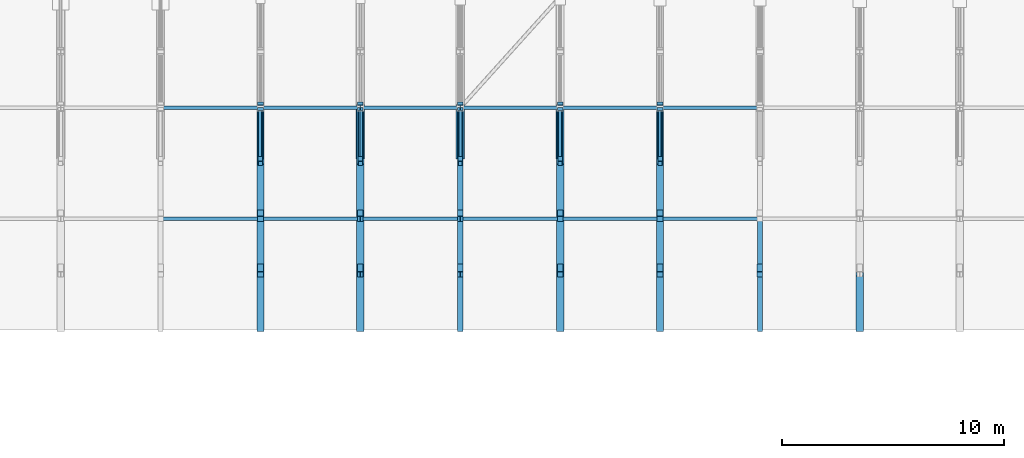
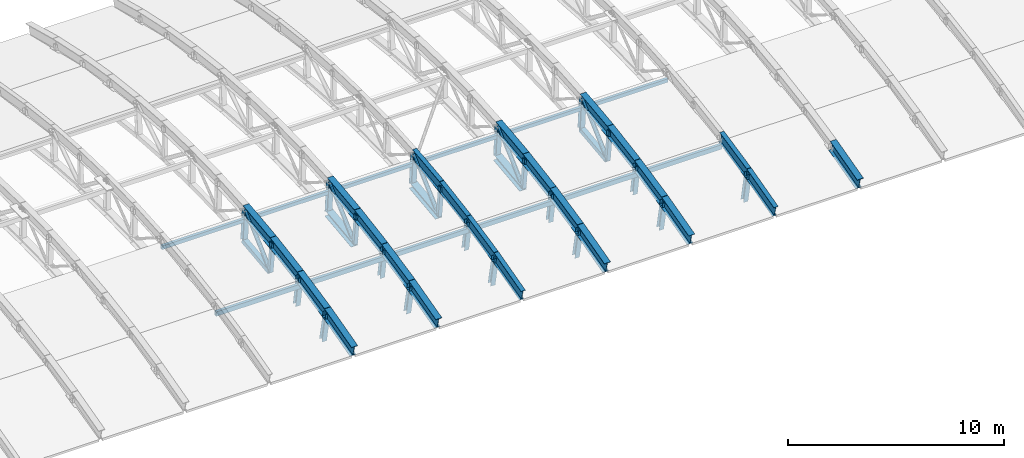
# One storey, part 16 of 53: 43 members, 23 beams.
"""IFC4 building model written with IfcOpenShell, lengths in metres."""

from ifc_helpers import new_model, si_unit, direction, frame, origin, origin_2d, place, context, subcontext, project, spatial, hollow_rectangle, hollow_circle, i_section, extrude, material, material_profile, profile_set, type_object, element, save


model = new_model("IFC4")

# Units and contexts
model_context = context("Model", 3, precision=1e-05, world=origin(), true_north=direction((0.0, 1.0)))
body_context = subcontext(model_context, "Body", "Model", "MODEL_VIEW")
ifc_project = project(units=[si_unit("LENGTHUNIT", "METRE"), si_unit("AREAUNIT", "SQUARE_METRE"), si_unit("VOLUMEUNIT", "CUBIC_METRE"), si_unit("PLANEANGLEUNIT", "RADIAN"), si_unit("MASSUNIT", "GRAM", prefix="KILO")], contexts=[model_context])

# Site, building, storey
site_placement = place(None, origin())
site = spatial("IfcSite", under=ifc_project, at=site_placement, CompositionType="ELEMENT")
building_placement = place(site_placement, origin())
building = spatial("IfcBuilding", under=site, at=building_placement, Name="Cazmaro Siding Exhibition Halls", CompositionType="ELEMENT")
storey_placement = place(building_placement, frame((0.0, 0.0, 21.0)))
storey = spatial("IfcBuildingStorey", under=building, at=storey_placement, Name="L04", CompositionType="ELEMENT", Elevation=21.0)

# Beams
ifc_material_1 = material(Name="Steel ASTM A992 Grade 50", Category="steel")
ifc_material_profile_1 = material_profile(ifc_material_1, i_section(OverallWidth=0.327880859375, OverallDepth=0.626953125, WebThickness=0.01708984375, FlangeThickness=0.028076171875, at=origin_2d()), Name="W24X146")
ifc_profile_set_1 = profile_set([ifc_material_profile_1], Name="Steel ASTM A992 Grade 50")
beam_type_1 = type_object("IfcBeamType", Name="AR-01", PredefinedType="USERDEFINED", material=ifc_profile_set_1)
beam_1_placement = place(storey_placement, frame((99.0, 79.0, 0.35498046875), z_axis=(0.0, 0.966391398669, 0.257075211911), x_axis=(-1.0, 0.0, 0.0)))
element("IfcBeam", 1, at=beam_1_placement, inside=storey, type_object=beam_type_1, Name="Space frame barrel vault arched rib AR-01 BM-0829", ObjectType="ARCHED RIB", PredefinedType="USERDEFINED", context=body_context, shape_type="SweptSolid", body=[
    extrude(i_section(OverallWidth=0.327880859375, OverallDepth=0.626953125, WebThickness=0.01708984375, FlangeThickness=0.028076171875, at=origin_2d()), origin(), (0.0, 0.0, 1.0), 2.5869140625),
])
beam_2_placement = place(storey_placement, frame((99.0, 81.5, 1.02001953125), z_axis=(0.0, 0.977710100146, 0.209959424826), x_axis=(-1.0, 0.0, 0.0)))
element("IfcBeam", 2, at=beam_2_placement, inside=storey, type_object=beam_type_1, Name="Space frame barrel vault arched rib AR-01 BM-0830", ObjectType="ARCHED RIB", PredefinedType="USERDEFINED", context=body_context, shape_type="SweptSolid", body=[
    extrude(i_section(OverallWidth=0.327880859375, OverallDepth=0.626953125, WebThickness=0.01708984375, FlangeThickness=0.028076171875, at=origin_2d()), origin(), (0.0, 0.0, 1.0), 2.556884765625),
])
beam_3_placement = place(storey_placement, frame((99.0, 84.0, 1.556884765625), z_axis=(0.0, 0.98649787474, 0.163774061236), x_axis=(-1.0, 0.0, 0.0)))
element("IfcBeam", 3, at=beam_3_placement, inside=storey, type_object=beam_type_1, Name="Space frame barrel vault arched rib AR-01 BM-0831", ObjectType="ARCHED RIB", PredefinedType="USERDEFINED", context=body_context, shape_type="SweptSolid", body=[
    extrude(i_section(OverallWidth=0.327880859375, OverallDepth=0.626953125, WebThickness=0.01708984375, FlangeThickness=0.028076171875, at=origin_2d()), origin(), (0.0, 0.0, 1.0), 2.5341796875),
])
beam_4_placement = place(storey_placement, frame((99.0, 86.5, 1.971923828125), z_axis=(0.0, 0.993147293786, 0.116869383693), x_axis=(-1.0, 0.0, 0.0)))
element("IfcBeam", 4, at=beam_4_placement, inside=storey, type_object=beam_type_1, Name="Space frame barrel vault arched rib AR-01 BM-0832", ObjectType="ARCHED RIB", PredefinedType="USERDEFINED", context=body_context, shape_type="SweptSolid", body=[
    extrude(i_section(OverallWidth=0.327880859375, OverallDepth=0.626953125, WebThickness=0.01708984375, FlangeThickness=0.028076171875, at=origin_2d()), origin(), (0.0, 0.0, 1.0), 2.517333984375),
])
beam_5_placement = place(storey_placement, frame((112.5, 79.0, 0.35498046875), z_axis=(0.0, 0.966391398669, 0.257075211911), x_axis=(-1.0, 0.0, 0.0)))
element("IfcBeam", 5, at=beam_5_placement, inside=storey, type_object=beam_type_1, Name="Space frame barrel vault arched rib AR-01 BM-0901", ObjectType="ARCHED RIB", PredefinedType="USERDEFINED", context=body_context, shape_type="SweptSolid", body=[
    extrude(i_section(OverallWidth=0.327880859375, OverallDepth=0.626953125, WebThickness=0.01708984375, FlangeThickness=0.028076171875, at=origin_2d()), origin(), (0.0, 0.0, 1.0), 2.5869140625),
])
beam_6_placement = place(storey_placement, frame((112.5, 81.5, 1.02001953125), z_axis=(0.0, 0.977710100146, 0.209959424826), x_axis=(-1.0, 0.0, 0.0)))
element("IfcBeam", 6, at=beam_6_placement, inside=storey, type_object=beam_type_1, Name="Space frame barrel vault arched rib AR-01 BM-0902", ObjectType="ARCHED RIB", PredefinedType="USERDEFINED", context=body_context, shape_type="SweptSolid", body=[
    extrude(i_section(OverallWidth=0.327880859375, OverallDepth=0.626953125, WebThickness=0.01708984375, FlangeThickness=0.028076171875, at=origin_2d()), origin(), (0.0, 0.0, 1.0), 2.556884765625),
])
beam_7_placement = place(storey_placement, frame((112.5, 84.0, 1.556884765625), z_axis=(0.0, 0.98649787474, 0.163774061236), x_axis=(-1.0, 0.0, 0.0)))
element("IfcBeam", 7, at=beam_7_placement, inside=storey, type_object=beam_type_1, Name="Space frame barrel vault arched rib AR-01 BM-0903", ObjectType="ARCHED RIB", PredefinedType="USERDEFINED", context=body_context, shape_type="SweptSolid", body=[
    extrude(i_section(OverallWidth=0.327880859375, OverallDepth=0.626953125, WebThickness=0.01708984375, FlangeThickness=0.028076171875, at=origin_2d()), origin(), (0.0, 0.0, 1.0), 2.5341796875),
])
beam_8_placement = place(storey_placement, frame((112.5, 86.5, 1.971923828125), z_axis=(0.0, 0.993147293786, 0.116869383693), x_axis=(-1.0, 0.0, 0.0)))
element("IfcBeam", 8, at=beam_8_placement, inside=storey, type_object=beam_type_1, Name="Space frame barrel vault arched rib AR-01 BM-0904", ObjectType="ARCHED RIB", PredefinedType="USERDEFINED", context=body_context, shape_type="SweptSolid", body=[
    extrude(i_section(OverallWidth=0.327880859375, OverallDepth=0.626953125, WebThickness=0.01708984375, FlangeThickness=0.028076171875, at=origin_2d()), origin(), (0.0, 0.0, 1.0), 2.517333984375),
])
beam_9_placement = place(storey_placement, frame((126.0, 79.0, 0.35498046875), z_axis=(0.0, 0.966391398669, 0.257075211911), x_axis=(-1.0, 0.0, 0.0)))
element("IfcBeam", 9, at=beam_9_placement, inside=storey, type_object=beam_type_1, Name="Space frame barrel vault arched rib AR-01 BM-0973", ObjectType="ARCHED RIB", PredefinedType="USERDEFINED", context=body_context, shape_type="SweptSolid", body=[
    extrude(i_section(OverallWidth=0.327880859375, OverallDepth=0.626953125, WebThickness=0.01708984375, FlangeThickness=0.028076171875, at=origin_2d()), origin(), (0.0, 0.0, 1.0), 2.5869140625),
])
ifc_material_2 = material(Name="Steel ASTM A992 Grade 50", Category="steel")
ifc_material_profile_2 = material_profile(ifc_material_2, i_section(OverallWidth=0.324951171875, OverallDepth=0.612060546875, WebThickness=0.012939453125, FlangeThickness=0.01904296875, at=origin_2d()), Name="W24X104")
ifc_profile_set_2 = profile_set([ifc_material_profile_2], Name="Steel ASTM A992 Grade 50")
beam_type_2 = type_object("IfcBeamType", Name="AR-02", PredefinedType="USERDEFINED", material=ifc_profile_set_2)
beam_10_placement = place(storey_placement, frame((103.5, 79.0, 0.35498046875), z_axis=(0.0, 0.966391398669, 0.257075211911), x_axis=(-1.0, 0.0, 0.0)))
element("IfcBeam", 10, at=beam_10_placement, inside=storey, type_object=beam_type_2, Name="Space frame barrel vault arched rib AR-02 BM-0853", ObjectType="ARCHED RIB", PredefinedType="USERDEFINED", context=body_context, shape_type="SweptSolid", body=[
    extrude(i_section(OverallWidth=0.324951171875, OverallDepth=0.612060546875, WebThickness=0.012939453125, FlangeThickness=0.01904296875, at=origin_2d()), origin(), (0.0, 0.0, 1.0), 2.5869140625),
])
beam_11_placement = place(storey_placement, frame((103.5, 81.5, 1.02001953125), z_axis=(0.0, 0.977710100146, 0.209959424826), x_axis=(-1.0, 0.0, 0.0)))
element("IfcBeam", 11, at=beam_11_placement, inside=storey, type_object=beam_type_2, Name="Space frame barrel vault arched rib AR-02 BM-0854", ObjectType="ARCHED RIB", PredefinedType="USERDEFINED", context=body_context, shape_type="SweptSolid", body=[
    extrude(i_section(OverallWidth=0.324951171875, OverallDepth=0.612060546875, WebThickness=0.012939453125, FlangeThickness=0.01904296875, at=origin_2d()), origin(), (0.0, 0.0, 1.0), 2.556884765625),
])
beam_12_placement = place(storey_placement, frame((103.5, 84.0, 1.556884765625), z_axis=(0.0, 0.98649787474, 0.163774061236), x_axis=(-1.0, 0.0, 0.0)))
element("IfcBeam", 12, at=beam_12_placement, inside=storey, type_object=beam_type_2, Name="Space frame barrel vault arched rib AR-02 BM-0855", ObjectType="ARCHED RIB", PredefinedType="USERDEFINED", context=body_context, shape_type="SweptSolid", body=[
    extrude(i_section(OverallWidth=0.324951171875, OverallDepth=0.612060546875, WebThickness=0.012939453125, FlangeThickness=0.01904296875, at=origin_2d()), origin(), (0.0, 0.0, 1.0), 2.5341796875),
])
beam_13_placement = place(storey_placement, frame((103.5, 86.5, 1.971923828125), z_axis=(0.0, 0.993147293786, 0.116869383693), x_axis=(-1.0, 0.0, 0.0)))
element("IfcBeam", 13, at=beam_13_placement, inside=storey, type_object=beam_type_2, Name="Space frame barrel vault arched rib AR-02 BM-0856", ObjectType="ARCHED RIB", PredefinedType="USERDEFINED", context=body_context, shape_type="SweptSolid", body=[
    extrude(i_section(OverallWidth=0.324951171875, OverallDepth=0.612060546875, WebThickness=0.012939453125, FlangeThickness=0.01904296875, at=origin_2d()), origin(), (0.0, 0.0, 1.0), 2.517333984375),
])
beam_14_placement = place(storey_placement, frame((117.0, 79.0, 0.35498046875), z_axis=(0.0, 0.966391398669, 0.257075211911), x_axis=(-1.0, 0.0, 0.0)))
element("IfcBeam", 14, at=beam_14_placement, inside=storey, type_object=beam_type_2, Name="Space frame barrel vault arched rib AR-02 BM-0925", ObjectType="ARCHED RIB", PredefinedType="USERDEFINED", context=body_context, shape_type="SweptSolid", body=[
    extrude(i_section(OverallWidth=0.324951171875, OverallDepth=0.612060546875, WebThickness=0.012939453125, FlangeThickness=0.01904296875, at=origin_2d()), origin(), (0.0, 0.0, 1.0), 2.5869140625),
])
beam_15_placement = place(storey_placement, frame((117.0, 81.5, 1.02001953125), z_axis=(0.0, 0.977710100146, 0.209959424826), x_axis=(-1.0, 0.0, 0.0)))
element("IfcBeam", 15, at=beam_15_placement, inside=storey, type_object=beam_type_2, Name="Space frame barrel vault arched rib AR-02 BM-0926", ObjectType="ARCHED RIB", PredefinedType="USERDEFINED", context=body_context, shape_type="SweptSolid", body=[
    extrude(i_section(OverallWidth=0.324951171875, OverallDepth=0.612060546875, WebThickness=0.012939453125, FlangeThickness=0.01904296875, at=origin_2d()), origin(), (0.0, 0.0, 1.0), 2.556884765625),
])
beam_16_placement = place(storey_placement, frame((117.0, 84.0, 1.556884765625), z_axis=(0.0, 0.98649787474, 0.163774061236), x_axis=(-1.0, 0.0, 0.0)))
element("IfcBeam", 16, at=beam_16_placement, inside=storey, type_object=beam_type_2, Name="Space frame barrel vault arched rib AR-02 BM-0927", ObjectType="ARCHED RIB", PredefinedType="USERDEFINED", context=body_context, shape_type="SweptSolid", body=[
    extrude(i_section(OverallWidth=0.324951171875, OverallDepth=0.612060546875, WebThickness=0.012939453125, FlangeThickness=0.01904296875, at=origin_2d()), origin(), (0.0, 0.0, 1.0), 2.5341796875),
])
beam_17_placement = place(storey_placement, frame((117.0, 86.5, 1.971923828125), z_axis=(0.0, 0.993147293786, 0.116869383693), x_axis=(-1.0, 0.0, 0.0)))
element("IfcBeam", 17, at=beam_17_placement, inside=storey, type_object=beam_type_2, Name="Space frame barrel vault arched rib AR-02 BM-0928", ObjectType="ARCHED RIB", PredefinedType="USERDEFINED", context=body_context, shape_type="SweptSolid", body=[
    extrude(i_section(OverallWidth=0.324951171875, OverallDepth=0.612060546875, WebThickness=0.012939453125, FlangeThickness=0.01904296875, at=origin_2d()), origin(), (0.0, 0.0, 1.0), 2.517333984375),
])
ifc_material_3 = material(Name="Steel ASTM A992 Grade 50", Category="steel")
ifc_material_profile_3 = material_profile(ifc_material_3, i_section(OverallWidth=0.22900390625, OverallDepth=0.612060546875, WebThickness=0.011962890625, FlangeThickness=0.02001953125, at=origin_2d()), Name="W24X84")
ifc_profile_set_3 = profile_set([ifc_material_profile_3], Name="Steel ASTM A992 Grade 50")
beam_type_3 = type_object("IfcBeamType", Name="AR-03", PredefinedType="USERDEFINED", material=ifc_profile_set_3)
beam_18_placement = place(storey_placement, frame((108.0, 79.0, 0.35498046875), z_axis=(0.0, 0.966391398669, 0.257075211911), x_axis=(-1.0, 0.0, 0.0)))
element("IfcBeam", 18, at=beam_18_placement, inside=storey, type_object=beam_type_3, Name="Space frame barrel vault arched rib AR-03 BM-0877", ObjectType="ARCHED RIB", PredefinedType="USERDEFINED", context=body_context, shape_type="SweptSolid", body=[
    extrude(i_section(OverallWidth=0.22900390625, OverallDepth=0.612060546875, WebThickness=0.011962890625, FlangeThickness=0.02001953125, at=origin_2d()), origin(), (0.0, 0.0, 1.0), 2.5869140625),
])
beam_19_placement = place(storey_placement, frame((108.0, 81.5, 1.02001953125), z_axis=(0.0, 0.977710100146, 0.209959424826), x_axis=(-1.0, 0.0, 0.0)))
element("IfcBeam", 19, at=beam_19_placement, inside=storey, type_object=beam_type_3, Name="Space frame barrel vault arched rib AR-03 BM-0878", ObjectType="ARCHED RIB", PredefinedType="USERDEFINED", context=body_context, shape_type="SweptSolid", body=[
    extrude(i_section(OverallWidth=0.22900390625, OverallDepth=0.612060546875, WebThickness=0.011962890625, FlangeThickness=0.02001953125, at=origin_2d()), origin(), (0.0, 0.0, 1.0), 2.556884765625),
])
beam_20_placement = place(storey_placement, frame((108.0, 84.0, 1.556884765625), z_axis=(0.0, 0.98649787474, 0.163774061236), x_axis=(-1.0, 0.0, 0.0)))
element("IfcBeam", 20, at=beam_20_placement, inside=storey, type_object=beam_type_3, Name="Space frame barrel vault arched rib AR-03 BM-0879", ObjectType="ARCHED RIB", PredefinedType="USERDEFINED", context=body_context, shape_type="SweptSolid", body=[
    extrude(i_section(OverallWidth=0.22900390625, OverallDepth=0.612060546875, WebThickness=0.011962890625, FlangeThickness=0.02001953125, at=origin_2d()), origin(), (0.0, 0.0, 1.0), 2.5341796875),
])
beam_21_placement = place(storey_placement, frame((108.0, 86.5, 1.971923828125), z_axis=(0.0, 0.993147293786, 0.116869383693), x_axis=(-1.0, 0.0, 0.0)))
element("IfcBeam", 21, at=beam_21_placement, inside=storey, type_object=beam_type_3, Name="Space frame barrel vault arched rib AR-03 BM-0880", ObjectType="ARCHED RIB", PredefinedType="USERDEFINED", context=body_context, shape_type="SweptSolid", body=[
    extrude(i_section(OverallWidth=0.22900390625, OverallDepth=0.612060546875, WebThickness=0.011962890625, FlangeThickness=0.02001953125, at=origin_2d()), origin(), (0.0, 0.0, 1.0), 2.517333984375),
])
beam_22_placement = place(storey_placement, frame((121.5, 79.0, 0.35498046875), z_axis=(0.0, 0.966391398669, 0.257075211911), x_axis=(-1.0, 0.0, 0.0)))
element("IfcBeam", 22, at=beam_22_placement, inside=storey, type_object=beam_type_3, Name="Space frame barrel vault arched rib AR-03 BM-0949", ObjectType="ARCHED RIB", PredefinedType="USERDEFINED", context=body_context, shape_type="SweptSolid", body=[
    extrude(i_section(OverallWidth=0.22900390625, OverallDepth=0.612060546875, WebThickness=0.011962890625, FlangeThickness=0.02001953125, at=origin_2d()), origin(), (0.0, 0.0, 1.0), 2.5869140625),
])
beam_23_placement = place(storey_placement, frame((121.5, 81.5, 1.02001953125), z_axis=(0.0, 0.977710100146, 0.209959424826), x_axis=(-1.0, 0.0, 0.0)))
element("IfcBeam", 23, at=beam_23_placement, inside=storey, type_object=beam_type_3, Name="Space frame barrel vault arched rib AR-03 BM-0950", ObjectType="ARCHED RIB", PredefinedType="USERDEFINED", context=body_context, shape_type="SweptSolid", body=[
    extrude(i_section(OverallWidth=0.22900390625, OverallDepth=0.612060546875, WebThickness=0.011962890625, FlangeThickness=0.02001953125, at=origin_2d()), origin(), (0.0, 0.0, 1.0), 2.556884765625),
])

# Members
ifc_material_4 = material(Name="Steel ASTM A500 Grade C", Category="steel")
ifc_material_profile_4 = material_profile(ifc_material_4, hollow_rectangle(XDim=0.152099609375, YDim=0.202880859375, WallThickness=0.011962890625, at=origin_2d()), Name="HSS8X6X1/2")
ifc_profile_set_4 = profile_set([ifc_material_profile_4], Name="Steel ASTM A500 Grade C")
member_type_1 = type_object("IfcMemberType", Name="RP-01", PredefinedType="PURLIN", material=ifc_profile_set_4)
for number, where, z_axis, x_axis, name in (
    (24, (94.5, 89.0, 1.72607421875), (1.0, 0.0, 0.0), (0.0, 1.0, 0.0), "Space frame barrel vault purlin RP-01 MEM-2101"),
    (25, (99.0, 89.0, 1.72607421875), (1.0, 0.0, 0.0), (0.0, 1.0, 0.0), "Space frame barrel vault purlin RP-01 MEM-2112"),
    (26, (103.5, 89.0, 1.72607421875), (1.0, 0.0, 0.0), (0.0, 1.0, 0.0), "Space frame barrel vault purlin RP-01 MEM-2123"),
    (27, (108.0, 89.0, 1.72607421875), (1.0, 0.0, 0.0), (0.0, 1.0, 0.0), "Space frame barrel vault purlin RP-01 MEM-2134"),
    (28, (112.5, 89.0, 1.72607421875), (1.0, 0.0, 0.0), (0.0, 1.0, 0.0), "Space frame barrel vault purlin RP-01 MEM-2151"),
    (29, (117.0, 89.0, 1.72607421875), (1.0, 0.0, 0.0), (0.0, 1.0, 0.0), "Space frame barrel vault purlin RP-01 MEM-2162"),
):
    element("IfcMember", number, at=place(storey_placement, frame(where, z_axis=z_axis, x_axis=x_axis)), inside=storey, type_object=member_type_1, Name=name, PredefinedType="PURLIN", context=body_context, shape_type="SweptSolid", body=[
        extrude(hollow_rectangle(XDim=0.152099609375, YDim=0.202880859375, WallThickness=0.011962890625, at=origin_2d()), origin(), (0.0, 0.0, 1.0), 4.5),
    ])
ifc_material_5 = material(Name="Steel ASTM A500 Grade C", Category="steel")
ifc_material_profile_5 = material_profile(ifc_material_5, hollow_rectangle(XDim=0.152099609375, YDim=0.25390625, WallThickness=0.011962890625, at=origin_2d()), Name="HSS10X6X1/2")
ifc_profile_set_5 = profile_set([ifc_material_profile_5], Name="Steel ASTM A500 Grade C")
member_type_2 = type_object("IfcMemberType", Name="RP-04", PredefinedType="PURLIN", material=ifc_profile_set_5)
for number, where, z_axis, x_axis, name in (
    (30, (94.5, 84.0, 1.01708984375), (1.0, 0.0, 0.0), (0.0, 1.0, 0.0), "Space frame barrel vault purlin RP-04 MEM-2100"),
    (31, (99.0, 84.0, 1.01708984375), (1.0, 0.0, 0.0), (0.0, 1.0, 0.0), "Space frame barrel vault purlin RP-04 MEM-2111"),
    (32, (103.5, 84.0, 1.01708984375), (1.0, 0.0, 0.0), (0.0, 1.0, 0.0), "Space frame barrel vault purlin RP-04 MEM-2122"),
    (33, (108.0, 84.0, 1.01708984375), (1.0, 0.0, 0.0), (0.0, 1.0, 0.0), "Space frame barrel vault purlin RP-04 MEM-2133"),
    (34, (112.5, 84.0, 1.01708984375), (1.0, 0.0, 0.0), (0.0, 1.0, 0.0), "Space frame barrel vault purlin RP-04 MEM-2150"),
    (35, (117.0, 84.0, 1.01708984375), (1.0, 0.0, 0.0), (0.0, 1.0, 0.0), "Space frame barrel vault purlin RP-04 MEM-2161"),
):
    element("IfcMember", number, at=place(storey_placement, frame(where, z_axis=z_axis, x_axis=x_axis)), inside=storey, type_object=member_type_2, Name=name, PredefinedType="PURLIN", context=body_context, shape_type="SweptSolid", body=[
        extrude(hollow_rectangle(XDim=0.152099609375, YDim=0.25390625, WallThickness=0.011962890625, at=origin_2d()), origin(), (0.0, 0.0, 1.0), 4.5),
    ])
ifc_material_6 = material(Name="Steel ASTM A500 Grade C", Category="steel")
ifc_material_profile_6 = material_profile(ifc_material_6, hollow_rectangle(XDim=0.25390625, YDim=0.25390625, WallThickness=0.014892578125, at=origin_2d()), Name="HSS10X10X5/8")
ifc_profile_set_6 = profile_set([ifc_material_profile_6], Name="Steel ASTM A500 Grade C")
member_type_3 = type_object("IfcMemberType", Name="TC-01", PredefinedType="CHORD", material=ifc_profile_set_6)
for number, where, z_axis, x_axis, name in (
    (36, (99.0, 86.7099609375, 0.18701171875), (0.0, 0.993149923187, 0.116847037079), (-1.0, 0.0, 0.0), "Space frame barrel vault bottom chord TC-01 MEM-0823"),
    (37, (117.0, 86.7099609375, 0.18701171875), (0.0, 0.993149923187, 0.116847037079), (-1.0, 0.0, 0.0), "Space frame barrel vault bottom chord TC-01 MEM-1107"),
):
    element("IfcMember", number, at=place(storey_placement, frame(where, z_axis=z_axis, x_axis=x_axis)), inside=storey, type_object=member_type_3, Name=name, PredefinedType="CHORD", context=body_context, shape_type="SweptSolid", body=[
        extrude(hollow_rectangle(XDim=0.25390625, YDim=0.25390625, WallThickness=0.014892578125, at=origin_2d()), origin(), (0.0, 0.0, 1.0), 2.44677734375),
    ])
ifc_material_7 = material(Name="Steel ASTM A992 Grade 50", Category="steel")
ifc_material_profile_7 = material_profile(ifc_material_7, i_section(OverallWidth=0.37109375, OverallDepth=0.364013671875, WebThickness=0.012939453125, FlangeThickness=0.02197265625, at=origin_2d()), Name="W14X109")
ifc_profile_set_7 = profile_set([ifc_material_profile_7], Name="Steel ASTM A992 Grade 50")
member_type_4 = type_object("IfcMemberType", Name="TC-06", PredefinedType="CHORD", material=ifc_profile_set_7)
for number, where, z_axis, x_axis, name in (
    (38, (103.5, 86.7099609375, 0.18701171875), (0.0, 0.993149923187, 0.116847037079), (-1.0, 0.0, 0.0), "Space frame barrel vault bottom chord TC-06 MEM-0894"),
    (39, (108.0, 86.7099609375, 0.18701171875), (0.0, 0.993149923187, 0.116847037079), (-1.0, 0.0, 0.0), "Space frame barrel vault bottom chord TC-06 MEM-0965"),
    (40, (112.5, 86.7099609375, 0.18701171875), (0.0, 0.993149923187, 0.116847037079), (-1.0, 0.0, 0.0), "Space frame barrel vault bottom chord TC-06 MEM-1036"),
):
    element("IfcMember", number, at=place(storey_placement, frame(where, z_axis=z_axis, x_axis=x_axis)), inside=storey, type_object=member_type_4, Name=name, PredefinedType="CHORD", context=body_context, shape_type="SweptSolid", body=[
        extrude(i_section(OverallWidth=0.37109375, OverallDepth=0.364013671875, WebThickness=0.012939453125, FlangeThickness=0.02197265625, at=origin_2d()), origin(), (0.0, 0.0, 1.0), 2.44677734375),
    ])
ifc_material_8 = material(Name="Steel ASTM A500 Grade C", Category="steel")
ifc_material_profile_8 = material_profile(ifc_material_8, hollow_rectangle(XDim=0.202880859375, YDim=0.202880859375, WallThickness=0.011962890625, at=origin_2d()), Name="HSS8X8X1/2")
ifc_profile_set_8 = profile_set([ifc_material_profile_8], Name="Steel ASTM A500 Grade C")
member_type_5 = type_object("IfcMemberType", Name="TP-01", PredefinedType="POST", material=ifc_profile_set_8)
for number, where, z_axis, x_axis, name in (
    (41, (99.0, 86.7099609375, 0.18701171875), (0.0, -0.116825484133, 0.993152458718), (1.0, 0.0, 0.0), "Space frame barrel vault post TP-01 MEM-0861"),
    (42, (103.5, 86.7099609375, 0.18701171875), (0.0, -0.116825484133, 0.993152458718), (1.0, 0.0, 0.0), "Space frame barrel vault post TP-01 MEM-0932"),
    (43, (108.0, 86.7099609375, 0.18701171875), (0.0, -0.116825484133, 0.993152458718), (1.0, 0.0, 0.0), "Space frame barrel vault post TP-01 MEM-1003"),
    (44, (112.5, 86.7099609375, 0.18701171875), (0.0, -0.116825484133, 0.993152458718), (1.0, 0.0, 0.0), "Space frame barrel vault post TP-01 MEM-1074"),
    (45, (117.0, 86.7099609375, 0.18701171875), (0.0, -0.116825484133, 0.993152458718), (1.0, 0.0, 0.0), "Space frame barrel vault post TP-01 MEM-1145"),
):
    element("IfcMember", number, at=place(storey_placement, frame(where, z_axis=z_axis, x_axis=x_axis)), inside=storey, type_object=member_type_5, Name=name, PredefinedType="POST", context=body_context, shape_type="SweptSolid", body=[
        extrude(hollow_rectangle(XDim=0.202880859375, YDim=0.202880859375, WallThickness=0.011962890625, at=origin_2d()), origin(), (0.0, 0.0, 1.0), 1.797119140625),
    ])
ifc_material_9 = material(Name="Steel ASTM A992 Grade 50", Category="steel")
ifc_material_profile_9 = material_profile(ifc_material_9, i_section(OverallWidth=0.25390625, OverallDepth=0.25390625, WebThickness=0.009033203125, FlangeThickness=0.013916015625, at=origin_2d()), Name="W10X49")
ifc_profile_set_9 = profile_set([ifc_material_profile_9], Name="Steel ASTM A992 Grade 50")
member_type_6 = type_object("IfcMemberType", Name="TP-04", PredefinedType="POST", material=ifc_profile_set_9)
member_1_placement = place(storey_placement, frame((99.0, 81.85009765625, -0.739013671875), z_axis=(0.0, -0.195199839578, 0.980763489649), x_axis=(1.0, 0.0, 0.0)))
element("IfcMember", 46, at=member_1_placement, inside=storey, type_object=member_type_6, Name="Space frame barrel vault post TP-04 MEM-0859", PredefinedType="POST", context=body_context, shape_type="SweptSolid", body=[
    extrude(i_section(OverallWidth=0.25390625, OverallDepth=0.25390625, WebThickness=0.009033203125, FlangeThickness=0.013916015625, at=origin_2d()), origin(), (0.0, 0.0, 1.0), 1.79345703125),
])
member_2_placement = place(storey_placement, frame((99.0, 84.280029296875, -0.217041015625), z_axis=(0.0, -0.155927668857, 0.987768475952), x_axis=(1.0, 0.0, 0.0)))
element("IfcMember", 47, at=member_2_placement, inside=storey, type_object=member_type_6, Name="Space frame barrel vault post TP-04 MEM-0860", PredefinedType="POST", context=body_context, shape_type="SweptSolid", body=[
    extrude(i_section(OverallWidth=0.25390625, OverallDepth=0.25390625, WebThickness=0.009033203125, FlangeThickness=0.013916015625, at=origin_2d()), origin(), (0.0, 0.0, 1.0), 1.7958984375),
])
member_3_placement = place(storey_placement, frame((99.0, 89.139892578125, 0.472900390625), z_axis=(0.0, -0.077775943468, 0.996970863475), x_axis=(1.0, 0.0, 0.0)))
element("IfcMember", 48, at=member_3_placement, inside=storey, type_object=member_type_6, Name="Space frame barrel vault post TP-04 MEM-0862", PredefinedType="POST", context=body_context, shape_type="SweptSolid", body=[
    extrude(i_section(OverallWidth=0.25390625, OverallDepth=0.25390625, WebThickness=0.009033203125, FlangeThickness=0.013916015625, at=origin_2d()), origin(), (0.0, 0.0, 1.0), 1.798583984375),
])
member_4_placement = place(storey_placement, frame((103.5, 81.85009765625, -0.739013671875), z_axis=(0.0, -0.195199839578, 0.980763489649), x_axis=(1.0, 0.0, 0.0)))
element("IfcMember", 49, at=member_4_placement, inside=storey, type_object=member_type_6, Name="Space frame barrel vault post TP-04 MEM-0930", PredefinedType="POST", context=body_context, shape_type="SweptSolid", body=[
    extrude(i_section(OverallWidth=0.25390625, OverallDepth=0.25390625, WebThickness=0.009033203125, FlangeThickness=0.013916015625, at=origin_2d()), origin(), (0.0, 0.0, 1.0), 1.79345703125),
])
member_5_placement = place(storey_placement, frame((103.5, 84.280029296875, -0.217041015625), z_axis=(0.0, -0.155927668857, 0.987768475952), x_axis=(1.0, 0.0, 0.0)))
element("IfcMember", 50, at=member_5_placement, inside=storey, type_object=member_type_6, Name="Space frame barrel vault post TP-04 MEM-0931", PredefinedType="POST", context=body_context, shape_type="SweptSolid", body=[
    extrude(i_section(OverallWidth=0.25390625, OverallDepth=0.25390625, WebThickness=0.009033203125, FlangeThickness=0.013916015625, at=origin_2d()), origin(), (0.0, 0.0, 1.0), 1.7958984375),
])
member_6_placement = place(storey_placement, frame((103.5, 89.139892578125, 0.472900390625), z_axis=(0.0, -0.077775943468, 0.996970863475), x_axis=(1.0, 0.0, 0.0)))
element("IfcMember", 51, at=member_6_placement, inside=storey, type_object=member_type_6, Name="Space frame barrel vault post TP-04 MEM-0933", PredefinedType="POST", context=body_context, shape_type="SweptSolid", body=[
    extrude(i_section(OverallWidth=0.25390625, OverallDepth=0.25390625, WebThickness=0.009033203125, FlangeThickness=0.013916015625, at=origin_2d()), origin(), (0.0, 0.0, 1.0), 1.798583984375),
])
member_7_placement = place(storey_placement, frame((108.0, 81.85009765625, -0.739013671875), z_axis=(0.0, -0.195199839578, 0.980763489649), x_axis=(1.0, 0.0, 0.0)))
element("IfcMember", 52, at=member_7_placement, inside=storey, type_object=member_type_6, Name="Space frame barrel vault post TP-04 MEM-1001", PredefinedType="POST", context=body_context, shape_type="SweptSolid", body=[
    extrude(i_section(OverallWidth=0.25390625, OverallDepth=0.25390625, WebThickness=0.009033203125, FlangeThickness=0.013916015625, at=origin_2d()), origin(), (0.0, 0.0, 1.0), 1.79345703125),
])
member_8_placement = place(storey_placement, frame((108.0, 84.280029296875, -0.217041015625), z_axis=(0.0, -0.155927668857, 0.987768475952), x_axis=(1.0, 0.0, 0.0)))
element("IfcMember", 53, at=member_8_placement, inside=storey, type_object=member_type_6, Name="Space frame barrel vault post TP-04 MEM-1002", PredefinedType="POST", context=body_context, shape_type="SweptSolid", body=[
    extrude(i_section(OverallWidth=0.25390625, OverallDepth=0.25390625, WebThickness=0.009033203125, FlangeThickness=0.013916015625, at=origin_2d()), origin(), (0.0, 0.0, 1.0), 1.7958984375),
])
member_9_placement = place(storey_placement, frame((108.0, 89.139892578125, 0.472900390625), z_axis=(0.0, -0.077775943468, 0.996970863475), x_axis=(1.0, 0.0, 0.0)))
element("IfcMember", 54, at=member_9_placement, inside=storey, type_object=member_type_6, Name="Space frame barrel vault post TP-04 MEM-1004", PredefinedType="POST", context=body_context, shape_type="SweptSolid", body=[
    extrude(i_section(OverallWidth=0.25390625, OverallDepth=0.25390625, WebThickness=0.009033203125, FlangeThickness=0.013916015625, at=origin_2d()), origin(), (0.0, 0.0, 1.0), 1.798583984375),
])
member_10_placement = place(storey_placement, frame((112.5, 81.85009765625, -0.739013671875), z_axis=(0.0, -0.195199839578, 0.980763489649), x_axis=(1.0, 0.0, 0.0)))
element("IfcMember", 55, at=member_10_placement, inside=storey, type_object=member_type_6, Name="Space frame barrel vault post TP-04 MEM-1072", PredefinedType="POST", context=body_context, shape_type="SweptSolid", body=[
    extrude(i_section(OverallWidth=0.25390625, OverallDepth=0.25390625, WebThickness=0.009033203125, FlangeThickness=0.013916015625, at=origin_2d()), origin(), (0.0, 0.0, 1.0), 1.79345703125),
])
member_11_placement = place(storey_placement, frame((112.5, 84.280029296875, -0.217041015625), z_axis=(0.0, -0.155927668857, 0.987768475952), x_axis=(1.0, 0.0, 0.0)))
element("IfcMember", 56, at=member_11_placement, inside=storey, type_object=member_type_6, Name="Space frame barrel vault post TP-04 MEM-1073", PredefinedType="POST", context=body_context, shape_type="SweptSolid", body=[
    extrude(i_section(OverallWidth=0.25390625, OverallDepth=0.25390625, WebThickness=0.009033203125, FlangeThickness=0.013916015625, at=origin_2d()), origin(), (0.0, 0.0, 1.0), 1.7958984375),
])
member_12_placement = place(storey_placement, frame((112.5, 89.139892578125, 0.472900390625), z_axis=(0.0, -0.077775943468, 0.996970863475), x_axis=(1.0, 0.0, 0.0)))
element("IfcMember", 57, at=member_12_placement, inside=storey, type_object=member_type_6, Name="Space frame barrel vault post TP-04 MEM-1075", PredefinedType="POST", context=body_context, shape_type="SweptSolid", body=[
    extrude(i_section(OverallWidth=0.25390625, OverallDepth=0.25390625, WebThickness=0.009033203125, FlangeThickness=0.013916015625, at=origin_2d()), origin(), (0.0, 0.0, 1.0), 1.798583984375),
])
member_13_placement = place(storey_placement, frame((117.0, 81.85009765625, -0.739013671875), z_axis=(0.0, -0.195199839578, 0.980763489649), x_axis=(1.0, 0.0, 0.0)))
element("IfcMember", 58, at=member_13_placement, inside=storey, type_object=member_type_6, Name="Space frame barrel vault post TP-04 MEM-1143", PredefinedType="POST", context=body_context, shape_type="SweptSolid", body=[
    extrude(i_section(OverallWidth=0.25390625, OverallDepth=0.25390625, WebThickness=0.009033203125, FlangeThickness=0.013916015625, at=origin_2d()), origin(), (0.0, 0.0, 1.0), 1.79345703125),
])
member_14_placement = place(storey_placement, frame((117.0, 84.280029296875, -0.217041015625), z_axis=(0.0, -0.155927668857, 0.987768475952), x_axis=(1.0, 0.0, 0.0)))
element("IfcMember", 59, at=member_14_placement, inside=storey, type_object=member_type_6, Name="Space frame barrel vault post TP-04 MEM-1144", PredefinedType="POST", context=body_context, shape_type="SweptSolid", body=[
    extrude(i_section(OverallWidth=0.25390625, OverallDepth=0.25390625, WebThickness=0.009033203125, FlangeThickness=0.013916015625, at=origin_2d()), origin(), (0.0, 0.0, 1.0), 1.7958984375),
])
member_15_placement = place(storey_placement, frame((117.0, 89.139892578125, 0.472900390625), z_axis=(0.0, -0.077775943468, 0.996970863475), x_axis=(1.0, 0.0, 0.0)))
element("IfcMember", 60, at=member_15_placement, inside=storey, type_object=member_type_6, Name="Space frame barrel vault post TP-04 MEM-1146", PredefinedType="POST", context=body_context, shape_type="SweptSolid", body=[
    extrude(i_section(OverallWidth=0.25390625, OverallDepth=0.25390625, WebThickness=0.009033203125, FlangeThickness=0.013916015625, at=origin_2d()), origin(), (0.0, 0.0, 1.0), 1.798583984375),
])
member_16_placement = place(storey_placement, frame((121.5, 81.85009765625, -0.739013671875), z_axis=(0.0, -0.195199839578, 0.980763489649), x_axis=(1.0, 0.0, 0.0)))
element("IfcMember", 61, at=member_16_placement, inside=storey, type_object=member_type_6, Name="Space frame barrel vault post TP-04 MEM-1214", PredefinedType="POST", context=body_context, shape_type="SweptSolid", body=[
    extrude(i_section(OverallWidth=0.25390625, OverallDepth=0.25390625, WebThickness=0.009033203125, FlangeThickness=0.013916015625, at=origin_2d()), origin(), (0.0, 0.0, 1.0), 1.79345703125),
])
ifc_material_10 = material(Name="Steel ASTM A500 Grade C", Category="steel")
ifc_material_profile_10 = material_profile(ifc_material_10, hollow_circle(Radius=0.109619140625, WallThickness=0.012939453125, at=origin_2d()), Name="PIPE8XS")
ifc_profile_set_10 = profile_set([ifc_material_profile_10], Name="Steel ASTM A500 Grade C")
member_type_7 = type_object("IfcMemberType", Name="WB-01", PredefinedType="BRACE", material=ifc_profile_set_10)
for number, where, z_axis, x_axis, name in (
    (62, (99.0, 86.7099609375, 0.18701171875), (0.0, 0.740382789782, 0.672185483772), (-1.0, 0.0, 0.0), "Space frame barrel vault diagonal WB-01 MEM-0824"),
    (63, (103.5, 86.7099609375, 0.18701171875), (0.0, 0.740382789782, 0.672185483772), (-1.0, 0.0, 0.0), "Space frame barrel vault diagonal WB-01 MEM-0895"),
    (64, (108.0, 86.7099609375, 0.18701171875), (0.0, 0.740382789782, 0.672185483772), (-1.0, 0.0, 0.0), "Space frame barrel vault diagonal WB-01 MEM-0966"),
    (65, (112.5, 86.7099609375, 0.18701171875), (0.0, 0.740382789782, 0.672185483772), (-1.0, 0.0, 0.0), "Space frame barrel vault diagonal WB-01 MEM-1037"),
    (66, (117.0, 86.7099609375, 0.18701171875), (0.0, 0.740382789782, 0.672185483772), (-1.0, 0.0, 0.0), "Space frame barrel vault diagonal WB-01 MEM-1108"),
):
    element("IfcMember", number, at=place(storey_placement, frame(where, z_axis=z_axis, x_axis=x_axis)), inside=storey, type_object=member_type_7, Name=name, PredefinedType="BRACE", context=body_context, shape_type="SweptSolid", body=[
        extrude(hollow_circle(Radius=0.109619140625, WallThickness=0.012939453125, at=origin_2d()), origin(), (0.0, 0.0, 1.0), 3.093017578125),
    ])

save(model, "model.ifc")
